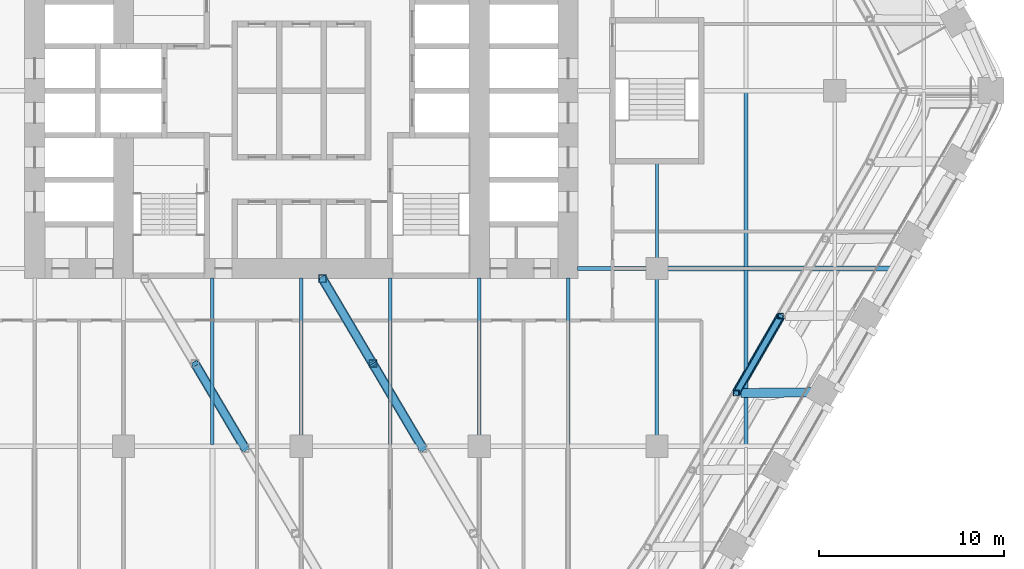
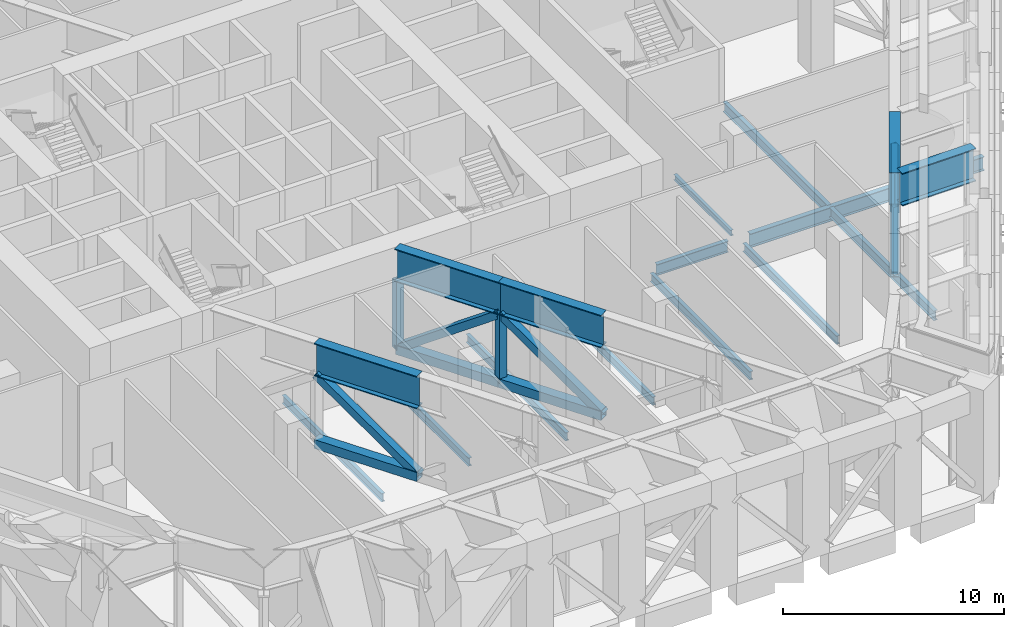
# One storey, part 6 of 35: 16 beams, 12 members.
"""IFC4 building model written with IfcOpenShell, lengths in metres."""

from ifc_helpers import new_model, si_unit, direction, frame, origin, origin_2d, place, context, subcontext, project, spatial, hollow_rectangle, i_section, extrude, material, material_profile, profile_set, type_object, element, save


model = new_model("IFC4")

# Units and contexts
model_context = context("Model", 3, precision=1e-05, world=origin(), true_north=direction((0.0, 1.0)))
body_context = subcontext(model_context, "Body", "Model", "MODEL_VIEW")
ifc_project = project(units=[si_unit("LENGTHUNIT", "METRE"), si_unit("AREAUNIT", "SQUARE_METRE"), si_unit("VOLUMEUNIT", "CUBIC_METRE"), si_unit("PLANEANGLEUNIT", "RADIAN"), si_unit("MASSUNIT", "GRAM", prefix="KILO")], contexts=[model_context])

# Site, building, storey
site_placement = place(None, origin())
site = spatial("IfcSite", under=ifc_project, at=site_placement, CompositionType="ELEMENT")
building_placement = place(site_placement, origin())
building = spatial("IfcBuilding", under=site, at=building_placement, Name="Kolab Exchange Tower", CompositionType="ELEMENT")
storey_placement = place(building_placement, frame((0.0, 0.0, 71.89990234375)))
storey = spatial("IfcBuildingStorey", under=building, at=storey_placement, Name="L13", CompositionType="ELEMENT", Elevation=71.89990234375)

# Members
ifc_material = material(Name="Steel S355", Category="steel")
ifc_material_profile_1 = material_profile(ifc_material, hollow_rectangle(XDim=0.300048828125, YDim=0.300048828125, WallThickness=0.01611328125, at=origin_2d()), Name="HSS300X300X16")
ifc_profile_set_1 = profile_set([ifc_material_profile_1], Name="Steel S355")
member_type_1 = type_object("IfcMemberType", Name="BELT TRUSS BRACE HSS300X300X16", PredefinedType="BRACE", material=ifc_profile_set_1)
member_1_placement = place(storey_placement, frame((25.88037109375, -12.1708984375, 4.0), z_axis=(-0.394006750666, -0.682437328265, -0.61566059921), x_axis=(0.866024647952, -0.500001309137, 0.0)))
element("IfcMember", 1, at=member_1_placement, inside=storey, type_object=member_type_1, Name="mem/L13/ring/d-F3-04", PredefinedType="BRACE", context=body_context, shape_type="SweptSolid", body=[
    extrude(hollow_rectangle(XDim=0.300048828125, YDim=0.300048828125, WallThickness=0.01611328125, at=origin_2d()), origin(), (0.0, 0.0, 1.0), 6.091064453125),
])
ifc_material_profile_2 = material_profile(ifc_material, hollow_rectangle(XDim=0.39990234375, YDim=0.39990234375, WallThickness=0.02001953125, at=origin_2d()), Name="HSS400X400X20")
ifc_profile_set_2 = profile_set([ifc_material_profile_2], Name="Steel S355")
member_type_2 = type_object("IfcMemberType", Name="BELT TRUSS CHORD HSS400X400X20", PredefinedType="CHORD", material=ifc_profile_set_2)
member_2_placement = place(storey_placement, frame((25.88037109375, -12.1708984375, 0.25), z_axis=(-0.500001309137, -0.866024647952, 0.0), x_axis=(0.866024647952, -0.500001309137, 0.0)))
element("IfcMember", 2, at=member_2_placement, inside=storey, type_object=member_type_2, Name="mem/L13/ring/c-F3-04", PredefinedType="CHORD", context=body_context, shape_type="SweptSolid", body=[
    extrude(hollow_rectangle(XDim=0.39990234375, YDim=0.39990234375, WallThickness=0.02001953125, at=origin_2d()), origin(), (0.0, 0.0, 1.0), 4.7998046875),
])

# Beam
ifc_material_profile_3 = material_profile(ifc_material, i_section(OverallWidth=0.5, OverallDepth=1.800048828125, WebThickness=0.031982421875, FlangeThickness=0.050048828125, at=origin_2d()), Name="PG1800X500")
ifc_profile_set_3 = profile_set([ifc_material_profile_3], Name="Steel S355")
beam_type_1 = type_object("IfcBeamType", Name="BELT TRUSS GIRDER PG1800X500", PredefinedType="BEAM", material=ifc_profile_set_3)
beam_1_placement = place(storey_placement, frame((25.88037109375, -12.1708984375, 4.900146484375), z_axis=(-0.500001309137, -0.866024647952, 0.0), x_axis=(0.866024647952, -0.500001309137, 0.0)))
element("IfcBeam", 3, at=beam_1_placement, inside=storey, type_object=beam_type_1, Name="beam/L13/bg/F3-run2", PredefinedType="BEAM", context=body_context, shape_type="SweptSolid", body=[
    extrude(i_section(OverallWidth=0.5, OverallDepth=1.800048828125, WebThickness=0.031982421875, FlangeThickness=0.050048828125, at=origin_2d()), origin(), (0.0, 0.0, 1.0), 4.7998046875),
])

# Members
ifc_material_profile_4 = material_profile(ifc_material, hollow_rectangle(XDim=0.300048828125, YDim=0.300048828125, WallThickness=0.01611328125, at=origin_2d()), Name="HSS300X300X16")
ifc_profile_set_4 = profile_set([ifc_material_profile_4], Name="Steel S355")
member_type_3 = type_object("IfcMemberType", Name="BELT TRUSS POST HSS300X300X16", PredefinedType="POST", material=ifc_profile_set_4)
for number, where, z_axis, x_axis, name in (
    (4, (25.88037109375, -12.1708984375, 0.25), (0.0, 0.0, 1.0), (1.0, 0.0, 0.0), "mem/L13/ring/p-F3-04"),
    (5, (23.48046875, -16.32763671875, 0.25), (0.0, 0.0, 1.0), (1.0, 0.0, 0.0), "mem/L13/ring/p-F3-05"),
):
    element("IfcMember", number, at=place(storey_placement, frame(where, z_axis=z_axis, x_axis=x_axis)), inside=storey, type_object=member_type_3, Name=name, PredefinedType="POST", context=body_context, shape_type="SweptSolid", body=[
        extrude(hollow_rectangle(XDim=0.300048828125, YDim=0.300048828125, WallThickness=0.01611328125, at=origin_2d()), origin(), (0.0, 0.0, 1.0), 3.75),
    ])

# Beams
ifc_material_profile_5 = material_profile(ifc_material, i_section(OverallWidth=0.1650390625, OverallDepth=0.31005859375, WebThickness=0.005859375, FlangeThickness=0.009765625, at=origin_2d()), Name="W310X39")
ifc_profile_set_5 = profile_set([ifc_material_profile_5], Name="Steel S355")
beam_type_2 = type_object("IfcBeamType", Name="FLOOR BEAM W310X39", PredefinedType="BEAM", material=ifc_profile_set_5)
beam_2_placement = place(storey_placement, frame((19.199951171875, -9.0400390625, -0.454833984375), z_axis=(0.0, 1.0, 0.0), x_axis=(-1.0, 0.0, 0.0)))
element("IfcBeam", 6, at=beam_2_placement, inside=storey, type_object=beam_type_2, Name="beam/L13/fr/048", PredefinedType="BEAM", context=body_context, shape_type="SweptSolid", body=[
    extrude(i_section(OverallWidth=0.1650390625, OverallDepth=0.31005859375, WebThickness=0.005859375, FlangeThickness=0.009765625, at=origin_2d()), origin(), (0.0, 0.0, 1.0), 5.130126953125),
])
ifc_material_profile_6 = material_profile(ifc_material, i_section(OverallWidth=0.18994140625, OverallDepth=0.45703125, WebThickness=0.009033203125, FlangeThickness=0.014404296875, at=origin_2d()), Name="W460X74")
ifc_profile_set_6 = profile_set([ifc_material_profile_6], Name="Steel S355")
beam_type_3 = type_object("IfcBeamType", Name="FLOOR BEAM W460X74", PredefinedType="BEAM", material=ifc_profile_set_6)
beam_3_placement = place(storey_placement, frame((-4.800048828125, -19.113037109375, -0.5283203125), z_axis=(0.0, 1.0, 0.0), x_axis=(-1.0, 0.0, 0.0)))
element("IfcBeam", 7, at=beam_3_placement, inside=storey, type_object=beam_type_3, Name="beam/L13/fr/027", PredefinedType="BEAM", context=body_context, shape_type="SweptSolid", body=[
    extrude(i_section(OverallWidth=0.18994140625, OverallDepth=0.45703125, WebThickness=0.009033203125, FlangeThickness=0.014404296875, at=origin_2d()), origin(), (0.0, 0.0, 1.0), 9.0029296875),
])
beam_4_placement = place(storey_placement, frame((0.0, -18.639892578125, -0.5283203125), z_axis=(0.0, 1.0, 0.0), x_axis=(-1.0, 0.0, 0.0)))
element("IfcBeam", 8, at=beam_4_placement, inside=storey, type_object=beam_type_3, Name="beam/L13/fr/031", PredefinedType="BEAM", context=body_context, shape_type="SweptSolid", body=[
    extrude(i_section(OverallWidth=0.18994140625, OverallDepth=0.45703125, WebThickness=0.009033203125, FlangeThickness=0.014404296875, at=origin_2d()), origin(), (0.0, 0.0, 1.0), 8.52978515625),
])
beam_5_placement = place(storey_placement, frame((4.800048828125, -19.113037109375, -0.5283203125), z_axis=(0.0, 1.0, 0.0), x_axis=(-1.0, 0.0, 0.0)))
element("IfcBeam", 9, at=beam_5_placement, inside=storey, type_object=beam_type_3, Name="beam/L13/fr/035", PredefinedType="BEAM", context=body_context, shape_type="SweptSolid", body=[
    extrude(i_section(OverallWidth=0.18994140625, OverallDepth=0.45703125, WebThickness=0.009033203125, FlangeThickness=0.014404296875, at=origin_2d()), origin(), (0.0, 0.0, 1.0), 9.0029296875),
])
beam_6_placement = place(storey_placement, frame((9.60009765625, -18.639892578125, -0.5283203125), z_axis=(0.0, 1.0, 0.0), x_axis=(-1.0, 0.0, 0.0)))
element("IfcBeam", 10, at=beam_6_placement, inside=storey, type_object=beam_type_3, Name="beam/L13/fr/039", PredefinedType="BEAM", context=body_context, shape_type="SweptSolid", body=[
    extrude(i_section(OverallWidth=0.18994140625, OverallDepth=0.45703125, WebThickness=0.009033203125, FlangeThickness=0.014404296875, at=origin_2d()), origin(), (0.0, 0.0, 1.0), 8.52978515625),
])
beam_7_placement = place(storey_placement, frame((14.39990234375, -19.113037109375, -0.5283203125), z_axis=(0.0, 1.0, 0.0), x_axis=(-1.0, 0.0, 0.0)))
element("IfcBeam", 11, at=beam_7_placement, inside=storey, type_object=beam_type_3, Name="beam/L13/fr/043", PredefinedType="BEAM", context=body_context, shape_type="SweptSolid", body=[
    extrude(i_section(OverallWidth=0.18994140625, OverallDepth=0.45703125, WebThickness=0.009033203125, FlangeThickness=0.014404296875, at=origin_2d()), origin(), (0.0, 0.0, 1.0), 9.0029296875),
])
beam_8_placement = place(storey_placement, frame((19.199951171875, -18.639892578125, -0.5283203125), z_axis=(0.0, 1.0, 0.0), x_axis=(-1.0, 0.0, 0.0)))
element("IfcBeam", 12, at=beam_8_placement, inside=storey, type_object=beam_type_3, Name="beam/L13/fr/047", PredefinedType="BEAM", context=body_context, shape_type="SweptSolid", body=[
    extrude(i_section(OverallWidth=0.18994140625, OverallDepth=0.45703125, WebThickness=0.009033203125, FlangeThickness=0.014404296875, at=origin_2d()), origin(), (0.0, 0.0, 1.0), 8.47998046875),
])
ifc_material_profile_7 = material_profile(ifc_material, i_section(OverallWidth=0.208984375, OverallDepth=0.532958984375, WebThickness=0.01025390625, FlangeThickness=0.015625, at=origin_2d()), Name="W530X92")
ifc_profile_set_7 = profile_set([ifc_material_profile_7], Name="Steel S355")
beam_type_4 = type_object("IfcBeamType", Name="FLOOR BEAM W530X92", PredefinedType="BEAM", material=ifc_profile_set_7)
beam_9_placement = place(storey_placement, frame((24.0, -19.1259765625, -0.56640625), z_axis=(0.0, 1.0, 0.0), x_axis=(-1.0, 0.0, 0.0)))
element("IfcBeam", 13, at=beam_9_placement, inside=storey, type_object=beam_type_4, Name="beam/L13/fr/053", PredefinedType="BEAM", context=body_context, shape_type="SweptSolid", body=[
    extrude(i_section(OverallWidth=0.208984375, OverallDepth=0.532958984375, WebThickness=0.01025390625, FlangeThickness=0.015625, at=origin_2d()), origin(), (0.0, 0.0, 1.0), 9.432373046875),
])
beam_10_placement = place(storey_placement, frame((24.0, -9.506591796875, -0.56640625), z_axis=(0.0, 1.0, 0.0), x_axis=(-1.0, 0.0, 0.0)))
element("IfcBeam", 14, at=beam_10_placement, inside=storey, type_object=beam_type_4, Name="beam/L13/fr/054", PredefinedType="BEAM", context=body_context, shape_type="SweptSolid", body=[
    extrude(i_section(OverallWidth=0.208984375, OverallDepth=0.532958984375, WebThickness=0.01025390625, FlangeThickness=0.015625, at=origin_2d()), origin(), (0.0, 0.0, 1.0), 9.4326171875),
])
ifc_material_profile_8 = material_profile(ifc_material, i_section(OverallWidth=0.22802734375, OverallDepth=0.60791015625, WebThickness=0.01123046875, FlangeThickness=0.017333984375, at=origin_2d()), Name="W610X113")
ifc_profile_set_8 = profile_set([ifc_material_profile_8], Name="Steel S355")
beam_type_5 = type_object("IfcBeamType", Name="FLOOR GIRDER W610X113", PredefinedType="BEAM", material=ifc_profile_set_8)
beam_11_placement = place(storey_placement, frame((14.909912109375, -9.60009765625, -0.60400390625), z_axis=(1.0, 0.0, 0.0), x_axis=(0.0, 1.0, 0.0)))
element("IfcBeam", 15, at=beam_11_placement, inside=storey, type_object=beam_type_5, Name="beam/L13/gd/017", PredefinedType="BEAM", context=body_context, shape_type="SweptSolid", body=[
    extrude(i_section(OverallWidth=0.22802734375, OverallDepth=0.60791015625, WebThickness=0.01123046875, FlangeThickness=0.017333984375, at=origin_2d()), origin(), (0.0, 0.0, 1.0), 3.72998046875),
])
ifc_material_profile_9 = material_profile(ifc_material, i_section(OverallWidth=0.26708984375, OverallDepth=0.761962890625, WebThickness=0.014404296875, FlangeThickness=0.021484375, at=origin_2d()), Name="W760X173")
ifc_profile_set_9 = profile_set([ifc_material_profile_9], Name="Steel S355")
beam_type_6 = type_object("IfcBeamType", Name="FLOOR GIRDER W760X173", PredefinedType="BEAM", material=ifc_profile_set_9)
beam_12_placement = place(storey_placement, frame((19.760009765625, -9.60009765625, -0.680908203125), z_axis=(1.0, 0.0, 0.0), x_axis=(0.0, 1.0, 0.0)))
element("IfcBeam", 16, at=beam_12_placement, inside=storey, type_object=beam_type_6, Name="beam/L13/gd/021", PredefinedType="BEAM", context=body_context, shape_type="SweptSolid", body=[
    extrude(i_section(OverallWidth=0.26708984375, OverallDepth=0.761962890625, WebThickness=0.014404296875, FlangeThickness=0.021484375, at=origin_2d()), origin(), (0.0, 0.0, 1.0), 12.213623046875),
])

# Members
ifc_material_profile_10 = material_profile(ifc_material, hollow_rectangle(XDim=0.39990234375, YDim=0.39990234375, WallThickness=0.02001953125, at=origin_2d()), Name="HSS400X400X20")
ifc_profile_set_10 = profile_set([ifc_material_profile_10], Name="Steel S355")
member_type_4 = type_object("IfcMemberType", Name="OUTRIGGER BRACE HSS400X400X20", PredefinedType="BRACE", material=ifc_profile_set_10)
member_3_placement = place(storey_placement, frame((1.1455078125, -10.14990234375, 0.25), z_axis=(0.416375274707, -0.703911736231, 0.575447563388), x_axis=(0.860697538433, 0.509116634315, 0.0)))
element("IfcMember", 17, at=member_3_placement, inside=storey, type_object=member_type_4, Name="mem/L13/out/02/d00", PredefinedType="BRACE", context=body_context, shape_type="SweptSolid", body=[
    extrude(hollow_rectangle(XDim=0.39990234375, YDim=0.39990234375, WallThickness=0.02001953125, at=origin_2d()), origin(), (0.0, 0.0, 1.0), 6.5166015625),
])
for number, where, z_axis, x_axis, name in (
    (18, (3.85888671875, -14.737060546875, 4.0), (0.416437209719, -0.703889774507, -0.575429609688), (0.860657391402, 0.509184499592, 0.0), "mem/L13/out/02/d01"),
    (19, (-5.740966796875, -14.737060546875, 4.0), (0.416406242938, -0.703900755606, -0.575438586732), (0.860677465118, 0.50915056814, 0.0), "mem/L13/out/03/d01"),
):
    element("IfcMember", number, at=place(storey_placement, frame(where, z_axis=z_axis, x_axis=x_axis)), inside=storey, type_object=member_type_4, Name=name, PredefinedType="BRACE", context=body_context, shape_type="SweptSolid", body=[
        extrude(hollow_rectangle(XDim=0.39990234375, YDim=0.39990234375, WallThickness=0.02001953125, at=origin_2d()), origin(), (0.0, 0.0, 1.0), 6.516845703125),
    ])
ifc_material_profile_11 = material_profile(ifc_material, hollow_rectangle(XDim=0.5, YDim=0.5, WallThickness=0.02490234375, at=origin_2d()), Name="HSS500X500X25")
ifc_profile_set_11 = profile_set([ifc_material_profile_11], Name="Steel S355")
member_type_5 = type_object("IfcMemberType", Name="OUTRIGGER CHORD HSS500X500X25", PredefinedType="CHORD", material=ifc_profile_set_11)
member_4_placement = place(storey_placement, frame((1.1455078125, -10.14990234375, 0.25), z_axis=(0.509116634315, -0.860697538433, 0.0), x_axis=(0.860697538433, 0.509116634315, 0.0)))
element("IfcMember", 20, at=member_4_placement, inside=storey, type_object=member_type_5, Name="mem/L13/out/02/c00", PredefinedType="CHORD", context=body_context, shape_type="SweptSolid", body=[
    extrude(hollow_rectangle(XDim=0.5, YDim=0.5, WallThickness=0.02490234375, at=origin_2d()), origin(), (0.0, 0.0, 1.0), 5.32958984375),
])
member_5_placement = place(storey_placement, frame((3.85888671875, -14.737060546875, 0.25), z_axis=(0.509184499592, -0.860657391402, 0.0), x_axis=(0.860657391402, 0.509184499592, 0.0)))
element("IfcMember", 21, at=member_5_placement, inside=storey, type_object=member_type_5, Name="mem/L13/out/02/c01", PredefinedType="CHORD", context=body_context, shape_type="SweptSolid", body=[
    extrude(hollow_rectangle(XDim=0.5, YDim=0.5, WallThickness=0.02490234375, at=origin_2d()), origin(), (0.0, 0.0, 1.0), 5.329833984375),
])
member_6_placement = place(storey_placement, frame((-5.740966796875, -14.737060546875, 0.25), z_axis=(0.50915056814, -0.860677465118, 0.0), x_axis=(0.860677465118, 0.50915056814, 0.0)))
element("IfcMember", 22, at=member_6_placement, inside=storey, type_object=member_type_5, Name="mem/L13/out/03/c01", PredefinedType="CHORD", context=body_context, shape_type="SweptSolid", body=[
    extrude(hollow_rectangle(XDim=0.5, YDim=0.5, WallThickness=0.02490234375, at=origin_2d()), origin(), (0.0, 0.0, 1.0), 5.32958984375),
])

# Beams
ifc_material_profile_12 = material_profile(ifc_material, i_section(OverallWidth=0.5, OverallDepth=1.800048828125, WebThickness=0.031982421875, FlangeThickness=0.050048828125, at=origin_2d()), Name="PG1800X500")
ifc_profile_set_12 = profile_set([ifc_material_profile_12], Name="Steel S355")
beam_type_7 = type_object("IfcBeamType", Name="OUTRIGGER GIRDER PG1800X500", PredefinedType="BEAM", material=ifc_profile_set_12)
beam_13_placement = place(storey_placement, frame((1.125, -10.115478515625, 4.900146484375), z_axis=(0.509136715252, -0.860685659914, 0.0), x_axis=(0.860685659914, 0.509136715252, 0.0)))
element("IfcBeam", 23, at=beam_13_placement, inside=storey, type_object=beam_type_7, Name="beam/L13/og/02-00", PredefinedType="BEAM", context=body_context, shape_type="SweptSolid", body=[
    extrude(i_section(OverallWidth=0.5, OverallDepth=1.800048828125, WebThickness=0.031982421875, FlangeThickness=0.050048828125, at=origin_2d()), origin(), (0.0, 0.0, 1.0), 5.36962890625),
])
beam_14_placement = place(storey_placement, frame((3.85888671875, -14.737060546875, 4.900146484375), z_axis=(0.509184499592, -0.860657391402, 0.0), x_axis=(0.860657391402, 0.509184499592, 0.0)))
element("IfcBeam", 24, at=beam_14_placement, inside=storey, type_object=beam_type_7, Name="beam/L13/og/02-01", PredefinedType="BEAM", context=body_context, shape_type="SweptSolid", body=[
    extrude(i_section(OverallWidth=0.5, OverallDepth=1.800048828125, WebThickness=0.031982421875, FlangeThickness=0.050048828125, at=origin_2d()), origin(), (0.0, 0.0, 1.0), 5.329833984375),
])
beam_15_placement = place(storey_placement, frame((-5.740966796875, -14.737060546875, 4.900146484375), z_axis=(0.50915056814, -0.860677465118, 0.0), x_axis=(0.860677465118, 0.50915056814, 0.0)))
element("IfcBeam", 25, at=beam_15_placement, inside=storey, type_object=beam_type_7, Name="beam/L13/og/03-01", PredefinedType="BEAM", context=body_context, shape_type="SweptSolid", body=[
    extrude(i_section(OverallWidth=0.5, OverallDepth=1.800048828125, WebThickness=0.031982421875, FlangeThickness=0.050048828125, at=origin_2d()), origin(), (0.0, 0.0, 1.0), 5.32958984375),
])

# Members
ifc_material_profile_13 = material_profile(ifc_material, hollow_rectangle(XDim=0.39990234375, YDim=0.39990234375, WallThickness=0.02001953125, at=origin_2d()), Name="HSS400X400X20")
ifc_profile_set_13 = profile_set([ifc_material_profile_13], Name="Steel S355")
member_type_6 = type_object("IfcMemberType", Name="OUTRIGGER POST HSS400X400X20", PredefinedType="POST", material=ifc_profile_set_13)
for number, where, z_axis, x_axis, name in (
    (26, (1.1455078125, -10.14990234375, 0.25), (0.0, 0.0, 1.0), (1.0, 0.0, 0.0), "mem/L13/out/02/p00"),
    (27, (3.85888671875, -14.737060546875, 0.25), (0.0, 0.0, 1.0), (1.0, 0.0, 0.0), "mem/L13/out/02/p01"),
):
    element("IfcMember", number, at=place(storey_placement, frame(where, z_axis=z_axis, x_axis=x_axis)), inside=storey, type_object=member_type_6, Name=name, PredefinedType="POST", context=body_context, shape_type="SweptSolid", body=[
        extrude(hollow_rectangle(XDim=0.39990234375, YDim=0.39990234375, WallThickness=0.02001953125, at=origin_2d()), origin(), (0.0, 0.0, 1.0), 3.75),
    ])

# Beam
ifc_material_profile_14 = material_profile(ifc_material, i_section(OverallWidth=0.5, OverallDepth=1.800048828125, WebThickness=0.031982421875, FlangeThickness=0.050048828125, at=origin_2d()), Name="PG1800X500")
ifc_profile_set_14 = profile_set([ifc_material_profile_14], Name="Steel S355")
beam_type_8 = type_object("IfcBeamType", Name="TRANSFER GIRDER PG1800X500", PredefinedType="BEAM", material=ifc_profile_set_14)
beam_16_placement = place(storey_placement, frame((23.73046875, -16.324951171875, 4.900146484375), z_axis=(0.999943937573, 0.010588753956, 0.0), x_axis=(-0.010588753956, 0.999943937573, 0.0)))
element("IfcBeam", 28, at=beam_16_placement, inside=storey, type_object=beam_type_8, Name="beam/L13/tg/F3-05", PredefinedType="BEAM", context=body_context, shape_type="SweptSolid", body=[
    extrude(i_section(OverallWidth=0.5, OverallDepth=1.800048828125, WebThickness=0.031982421875, FlangeThickness=0.050048828125, at=origin_2d()), origin(), (0.0, 0.0, 1.0), 3.87353515625),
])

save(model, "model.ifc")
